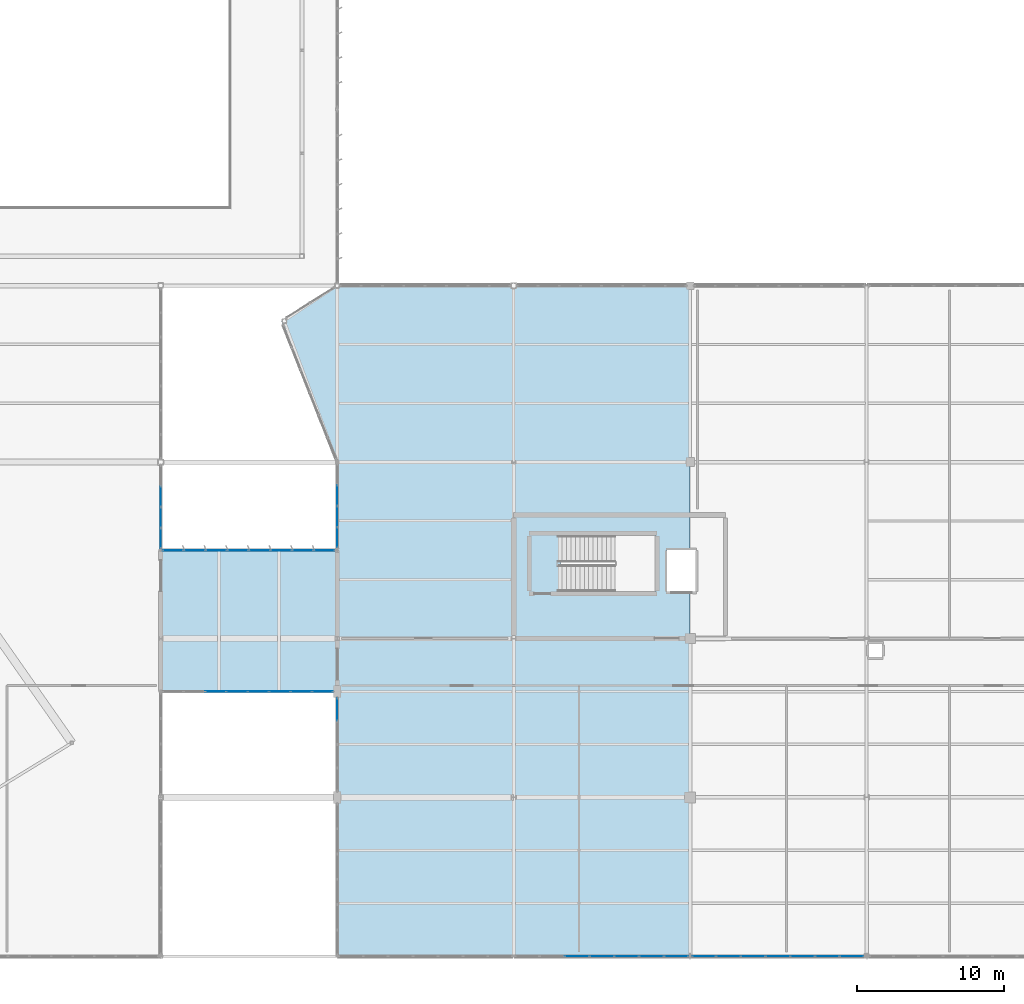
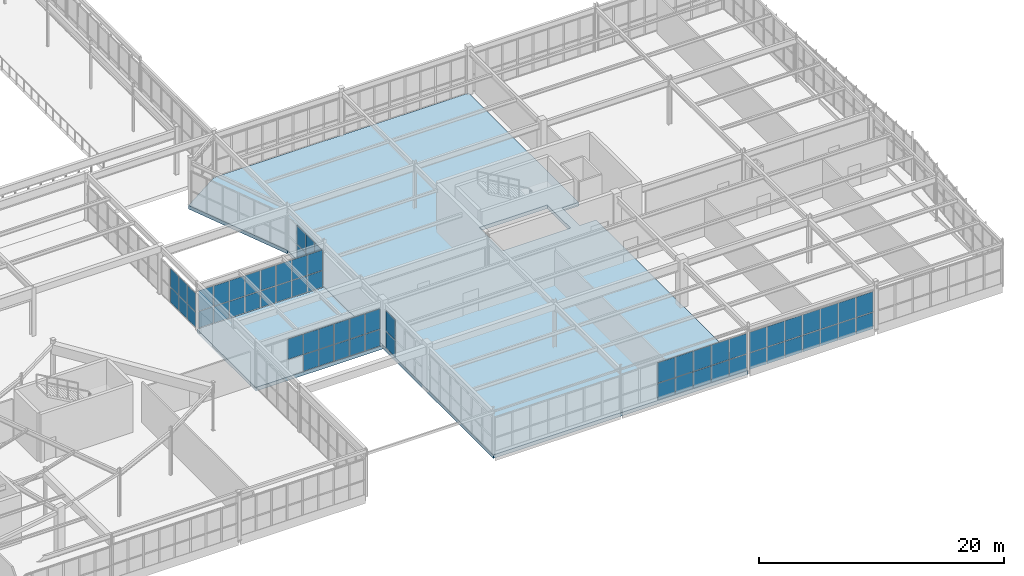
# One storey, part 120 of 186: 65 plates, 2 slabs, 7 elements without a shape of their own.
"""IFC4 building model written with IfcOpenShell, lengths in metres."""

import ifcopenshell
import ifcopenshell.guid

model = None  # the IFC model being written
_history = None  # IfcOwnerHistory: only IFC2X3 demands one
_inside = {}  # id of a spatial element -> (the spatial element, [elements in it])
_under = {}  # id of a project, library or spatial element -> (it, [spatial elements below it])
_declared = {}  # id of a project -> (the project, [libraries it declares])
_typed = {}  # id of a type object -> (the type object, [elements of that type])
_made_of = {}  # id of a material, layer set ... -> (it, [elements and type objects made of it])


def new_model(schema):
    """Start an empty IFC model of exactly this schema.

    Asked for "IFC4X3", IfcOpenShell would pick the latest addendum, in which some entities
    have other attributes; the version numbers below select the first issue.
    IFC2X3 requires an IfcOwnerHistory on every rooted entity: one is made here for all.
    """
    global model, _history
    if schema == "IFC4X3":
        model = ifcopenshell.file(schema_version=(4, 3, 0, 0))
    else:
        model = ifcopenshell.file(schema=schema)
    _inside.clear()
    _under.clear()
    _declared.clear()
    _typed.clear()
    _made_of.clear()
    _history = None
    if model.schema == "IFC2X3":
        org = make("IfcOrganization", Name="unknown")
        user = make(
            "IfcPersonAndOrganization",
            ThePerson=make("IfcPerson", FamilyName="unknown"),
            TheOrganization=org,
        )
        app = make(
            "IfcApplication",
            ApplicationDeveloper=org,
            Version="unknown",
            ApplicationFullName="unknown",
            ApplicationIdentifier="unknown",
        )
        _history = make(
            "IfcOwnerHistory",
            OwningUser=user,
            OwningApplication=app,
            ChangeAction="ADDED",
            CreationDate=0,
        )
    return model


def make(cls, **values):
    """One entity of the class cls with the attributes given. An attribute that is None is left unset."""
    return model.create_entity(
        cls, **{name: value for name, value in values.items() if value is not None}
    )


def rooted(cls, **values):
    """An entity with a GlobalId (a new one), such as an element, a storey or a relation."""
    return make(cls, GlobalId=ifcopenshell.guid.new(), OwnerHistory=_history, **values)


def si_unit(unit_type, name, prefix=None):
    """IfcSIUnit, for example si_unit("LENGTHUNIT", "METRE", prefix="MILLI")."""
    return make("IfcSIUnit", UnitType=unit_type, Prefix=prefix, Name=name)


def assignment(units):
    """IfcUnitAssignment: the units of a project."""
    return None if units is None else make("IfcUnitAssignment", Units=units)


def point(xyz):
    """IfcCartesianPoint."""
    return None if xyz is None else make("IfcCartesianPoint", Coordinates=xyz)


def direction(xyz):
    """IfcDirection."""
    return None if xyz is None else make("IfcDirection", DirectionRatios=xyz)


def frame(location, z_axis=None, x_axis=None):
    """IfcAxis2Placement3D, a coordinate frame: its origin and axes. An axis left out is left unset."""
    return make(
        "IfcAxis2Placement3D",
        Location=point(location),
        Axis=direction(z_axis),
        RefDirection=direction(x_axis),
    )


def frame_2d(location, x_axis=None):
    """IfcAxis2Placement2D, a coordinate frame in the plane: its origin and x axis."""
    return make(
        "IfcAxis2Placement2D", Location=point(location), RefDirection=direction(x_axis)
    )


def origin():
    """The frame at (0, 0, 0) with its axes left unset."""
    return frame((0.0, 0.0, 0.0))


def origin_2d():
    """The frame at (0, 0) in the plane with its x axis left unset."""
    return frame_2d((0.0, 0.0))


def place(relative_to, where):
    """IfcLocalPlacement: puts the frame where relative to a parent placement (None: the world)."""
    return make(
        "IfcLocalPlacement", PlacementRelTo=relative_to, RelativePlacement=where
    )


def context(
    kind, dimensions, precision=None, world=None, true_north=None, identifier=None
):
    """IfcGeometricRepresentationContext, for example the 3D "Model" context."""
    return make(
        "IfcGeometricRepresentationContext",
        ContextIdentifier=identifier,
        ContextType=kind,
        CoordinateSpaceDimension=dimensions,
        Precision=precision,
        WorldCoordinateSystem=world,
        TrueNorth=true_north,
    )


def subcontext(parent, identifier, kind, view, scale=None):
    """IfcGeometricRepresentationSubContext, for example "Body" below "Model"."""
    return make(
        "IfcGeometricRepresentationSubContext",
        ContextIdentifier=identifier,
        ContextType=kind,
        ParentContext=parent,
        TargetScale=scale,
        TargetView=view,
    )


def project(units=None, contexts=None):
    """IfcProject with its units and contexts."""
    return rooted(
        "IfcProject",
        Name="project",
        RepresentationContexts=contexts,
        UnitsInContext=assignment(units),
    )


def spatial(cls, under=None, at=None, **own):
    """A site, building, storey or space (cls), placed at a placement, below another one or the project."""
    s = rooted(cls, ObjectPlacement=at, **own)
    if under is not None:
        _under.setdefault(under.id(), (under, []))[1].append(s)
    return s


def polyline(points):
    """IfcPolyline through the points."""
    return make("IfcPolyline", Points=[point(p) for p in points])


def profile(cls, at=None, kind="AREA", **sizes):
    """A parametric profile (cls). Its sizes go by their IFC names, for example OverallWidth=200.0."""
    return make(cls, ProfileType=kind, Position=at, **sizes)


def rectangle(**sizes):
    """IfcRectangleProfileDef."""
    return profile("IfcRectangleProfileDef", **sizes)


def outline(outer, holes=None, kind="AREA"):
    """IfcArbitraryClosedProfileDef: a profile drawn as a closed curve; with holes, ...WithVoids."""
    if holes is None:
        return make("IfcArbitraryClosedProfileDef", ProfileType=kind, OuterCurve=outer)
    return make(
        "IfcArbitraryProfileDefWithVoids",
        ProfileType=kind,
        OuterCurve=outer,
        InnerCurves=holes,
    )


def extrude(swept, where, along, depth):
    """IfcExtrudedAreaSolid: the profile swept, set in the frame where, extruded along a direction by depth."""
    return make(
        "IfcExtrudedAreaSolid",
        SweptArea=swept,
        Position=where,
        ExtrudedDirection=direction(along),
        Depth=depth,
    )


def shape(context_of_items, identifier, shape_type, items):
    """IfcShapeRepresentation: the items that make up one representation, for example the "Body"."""
    return make(
        "IfcShapeRepresentation",
        ContextOfItems=context_of_items,
        RepresentationIdentifier=identifier,
        RepresentationType=shape_type,
        Items=items,
    )


def material(Name=None, Category=None):
    """IfcMaterial."""
    return make("IfcMaterial", Name=Name, Category=Category)


def layer(
    of_material, thickness, ventilated=None, Name=None, Category=None, Priority=None
):
    """IfcMaterialLayer: one layer of a wall or slab, of a material (None: an air gap)."""
    return make(
        "IfcMaterialLayer",
        Material=of_material,
        LayerThickness=thickness,
        IsVentilated=ventilated,
        Name=Name,
        Category=Category,
        Priority=Priority,
    )


def layer_set(layers, Name=None):
    """IfcMaterialLayerSet."""
    return make("IfcMaterialLayerSet", MaterialLayers=layers, LayerSetName=Name)


def made_of(thing, what):
    """Note that an element or type object is made of a material, layer set ...; save() writes the relation."""
    if what is not None:
        _made_of.setdefault(what.id(), (what, []))[1].append(thing)
    return thing


def type_object(cls, material=None, **own):
    """A type object (cls), such as IfcWallType, which elements share."""
    return made_of(rooted(cls, **own), material)


def element(
    cls,
    number,
    at=None,
    inside=None,
    cuts=None,
    type_object=None,
    material=None,
    context=None,
    identifier="Body",
    shape_type=None,
    held_by="IfcProductDefinitionShape",
    body=None,
    shapes=None,
    **own,
):
    """One element of the class cls, such as IfcWall. Its Tag is "e" and its number.

    at: its placement. inside: the storey or other place that contains it. cuts: it is an
    opening in that element (IfcRelVoidsElement). A single representation is given by context,
    identifier, shape_type and body (its items); several are given by shapes. held_by: the class
    of the entity that holds the representations. save() writes the other relations.
    """
    e = rooted(cls, Tag="e%d" % number, ObjectPlacement=at, **own)
    if body is not None:
        shapes = [shape(context, identifier, shape_type, body)]
    if shapes is not None:
        e.Representation = make(held_by, Representations=shapes)
    if inside is not None:
        _inside.setdefault(inside.id(), (inside, []))[1].append(e)
    if cuts is not None:
        rooted(
            "IfcRelVoidsElement", RelatingBuildingElement=cuts, RelatedOpeningElement=e
        )
    if type_object is not None:
        _typed.setdefault(type_object.id(), (type_object, []))[1].append(e)
    return made_of(e, material)


def aggregate(whole, parts):
    """IfcRelAggregates: a whole, such as a stair, and the parts it consists of."""
    return rooted("IfcRelAggregates", RelatingObject=whole, RelatedObjects=parts)


def save(model, path):
    """Write the relations noted so far, then the file.

    IfcRelAggregates (storeys below a building ...), IfcRelContainedInSpatialStructure (elements
    in a storey), IfcRelDefinesByType, IfcRelAssociatesMaterial and IfcRelDeclares: one each for
    every whole, place, type object, material and project.
    """
    for whole, parts in _under.values():
        aggregate(whole, parts)
    for where, things in _inside.values():
        rooted(
            "IfcRelContainedInSpatialStructure",
            RelatedElements=things,
            RelatingStructure=where,
        )
    for kind, things in _typed.values():
        rooted("IfcRelDefinesByType", RelatedObjects=things, RelatingType=kind)
    for what, things in _made_of.values():
        rooted("IfcRelAssociatesMaterial", RelatedObjects=things, RelatingMaterial=what)
    for by, libraries in _declared.values():
        rooted("IfcRelDeclares", RelatingContext=by, RelatedDefinitions=libraries)
    model.write(path)


model = new_model("IFC4")

# Units and contexts
model_context = context("Model", 3, precision=1e-05, world=origin(), true_north=direction((0.0, 1.0)))
body_context = subcontext(model_context, "Body", "Model", "MODEL_VIEW")
ifc_project = project(units=[si_unit("LENGTHUNIT", "METRE"), si_unit("AREAUNIT", "SQUARE_METRE"), si_unit("VOLUMEUNIT", "CUBIC_METRE"), si_unit("PLANEANGLEUNIT", "RADIAN"), si_unit("MASSUNIT", "GRAM", prefix="KILO")], contexts=[model_context])

# Site, building, storey
site_placement = place(None, origin())
site = spatial("IfcSite", under=ifc_project, at=site_placement, CompositionType="ELEMENT")
building_placement = place(site_placement, origin())
building = spatial("IfcBuilding", under=site, at=building_placement, Name="Tarnwether General Hospital", CompositionType="ELEMENT")
storey_placement = place(building_placement, frame((0.0, 0.0, 9.60009765625)))
storey = spatial("IfcBuildingStorey", under=building, at=storey_placement, Name="L02", CompositionType="ELEMENT", Elevation=9.60009765625)

# Curtain wall, plates
ifc_material_1 = material(Name="Anodised aluminium", Category="aluminium")
ifc_layer_1 = layer(ifc_material_1, 0.159912109375)
ifc_layer_set_1 = layer_set([ifc_layer_1], Name="Anodised aluminium")
curtain_wall_type_1 = type_object("IfcCurtainWallType", Name="CW-15", PredefinedType="NOTDEFINED", material=ifc_layer_set_1)
curtain_wall_1_placement = place(storey_placement, origin())
curtain_wall_1 = element("IfcCurtainWall", 1, at=curtain_wall_1_placement, inside=storey, type_object=curtain_wall_type_1, Name="Curtain Wall CWG-L02-1440_112-0437", PredefinedType="NOTDEFINED")
ifc_material_2 = material(Name="Double glazed low-E glass", Category="glass")
ifc_layer_2 = layer(ifc_material_2, 0.028076171875)
ifc_layer_set_2 = layer_set([ifc_layer_2], Name="Double glazed low-E glass")
plate_type = type_object("IfcPlateType", Name="PT-CWP1", PredefinedType="CURTAIN_PANEL", material=ifc_layer_set_2)
plate_1_placement = place(storey_placement, frame((144.0, 16.779052734375, 0.06005859375), z_axis=(0.0, 0.0, 1.0), x_axis=(0.0, 1.0, 0.0)))
plate_1 = element("IfcPlate", 2, at=plate_1_placement, type_object=plate_type, Name="CW-15 panel 4.1", PredefinedType="CURTAIN_PANEL", context=body_context, shape_type="SweptSolid", body=[
    extrude(rectangle(XDim=1.506103515625, YDim=0.028076171875, at=origin_2d()), origin(), (0.0, 0.0, 1.0), 1.628173828125),
])
plate_2_placement = place(storey_placement, frame((144.0, 16.779052734375, 1.748046875), z_axis=(0.0, 0.0, 1.0), x_axis=(0.0, 1.0, 0.0)))
plate_2 = element("IfcPlate", 3, at=plate_2_placement, type_object=plate_type, Name="CW-15 panel 4.2", PredefinedType="CURTAIN_PANEL", context=body_context, shape_type="SweptSolid", body=[
    extrude(rectangle(XDim=1.506103515625, YDim=0.028076171875, at=origin_2d()), origin(), (0.0, 0.0, 1.0), 2.010009765625),
])
aggregate(curtain_wall_1, [plate_1, plate_2])

curtain_wall_2_placement = place(storey_placement, origin())
curtain_wall_2 = element("IfcCurtainWall", 4, at=curtain_wall_2_placement, inside=storey, type_object=curtain_wall_type_1, Name="Curtain Wall CWG-L02-1320_334-0439", PredefinedType="NOTDEFINED")
plate_3_placement = place(storey_placement, frame((132.0, 31.24951171875, 0.059814453125), z_axis=(0.0, 0.0, 1.0), x_axis=(0.0, -1.0, 0.0)))
plate_3 = element("IfcPlate", 5, at=plate_3_placement, type_object=plate_type, Name="CW-15 panel 2.1", PredefinedType="CURTAIN_PANEL", context=body_context, shape_type="SweptSolid", body=[
    extrude(rectangle(XDim=1.3662109375, YDim=0.028076171875, at=origin_2d()), origin(), (0.0, 0.0, 1.0), 1.49853515625),
])
plate_4_placement = place(storey_placement, frame((132.0, 31.24951171875, 1.618408203125), z_axis=(0.0, 0.0, 1.0), x_axis=(0.0, -1.0, 0.0)))
plate_4 = element("IfcPlate", 6, at=plate_4_placement, type_object=plate_type, Name="CW-15 panel 2.2", PredefinedType="CURTAIN_PANEL", context=body_context, shape_type="SweptSolid", body=[
    extrude(rectangle(XDim=1.3662109375, YDim=0.028076171875, at=origin_2d()), origin(), (0.0, 0.0, 1.0), 1.8515625),
])
plate_5_placement = place(storey_placement, frame((132.0, 29.823486328125, 0.059814453125), z_axis=(0.0, 0.0, 1.0), x_axis=(0.0, -1.0, 0.0)))
plate_5 = element("IfcPlate", 7, at=plate_5_placement, type_object=plate_type, Name="CW-15 panel 3.1", PredefinedType="CURTAIN_PANEL", context=body_context, shape_type="SweptSolid", body=[
    extrude(rectangle(XDim=1.3662109375, YDim=0.028076171875, at=origin_2d()), origin(), (0.0, 0.0, 1.0), 1.49853515625),
])
plate_6_placement = place(storey_placement, frame((132.0, 29.823486328125, 1.618408203125), z_axis=(0.0, 0.0, 1.0), x_axis=(0.0, -1.0, 0.0)))
plate_6 = element("IfcPlate", 8, at=plate_6_placement, type_object=plate_type, Name="CW-15 panel 3.2", PredefinedType="CURTAIN_PANEL", context=body_context, shape_type="SweptSolid", body=[
    extrude(rectangle(XDim=1.3662109375, YDim=0.028076171875, at=origin_2d()), origin(), (0.0, 0.0, 1.0), 1.8515625),
])
plate_7_placement = place(storey_placement, frame((132.0, 28.412109375, 0.059814453125), z_axis=(0.0, 0.0, 1.0), x_axis=(0.0, -1.0, 0.0)))
plate_7 = element("IfcPlate", 9, at=plate_7_placement, type_object=plate_type, Name="CW-15 panel 4.1", PredefinedType="CURTAIN_PANEL", context=body_context, shape_type="SweptSolid", body=[
    extrude(rectangle(XDim=1.336181640625, YDim=0.028076171875, at=origin_2d()), origin(), (0.0, 0.0, 1.0), 1.49853515625),
])
plate_8_placement = place(storey_placement, frame((132.0, 28.412109375, 1.618408203125), z_axis=(0.0, 0.0, 1.0), x_axis=(0.0, -1.0, 0.0)))
plate_8 = element("IfcPlate", 10, at=plate_8_placement, type_object=plate_type, Name="CW-15 panel 4.2", PredefinedType="CURTAIN_PANEL", context=body_context, shape_type="SweptSolid", body=[
    extrude(rectangle(XDim=1.336181640625, YDim=0.028076171875, at=origin_2d()), origin(), (0.0, 0.0, 1.0), 1.8515625),
])
aggregate(curtain_wall_2, [plate_3, plate_4, plate_5, plate_6, plate_7, plate_8])

curtain_wall_3_placement = place(storey_placement, origin())
curtain_wall_3 = element("IfcCurtainWall", 11, at=curtain_wall_3_placement, inside=storey, type_object=curtain_wall_type_1, Name="Curtain Wall CWG-L02-1440_277-0440", PredefinedType="NOTDEFINED")
plate_9_placement = place(storey_placement, frame((144.0, 28.468994140625, 0.059814453125), z_axis=(0.0, 0.0, 1.0), x_axis=(0.0, 1.0, 0.0)))
plate_9 = element("IfcPlate", 12, at=plate_9_placement, type_object=plate_type, Name="CW-15 panel 1.1", PredefinedType="CURTAIN_PANEL", context=body_context, shape_type="SweptSolid", body=[
    extrude(rectangle(XDim=1.347900390625, YDim=0.028076171875, at=origin_2d()), origin(), (0.0, 0.0, 1.0), 1.49853515625),
])
plate_10_placement = place(storey_placement, frame((144.0, 28.468994140625, 1.618408203125), z_axis=(0.0, 0.0, 1.0), x_axis=(0.0, 1.0, 0.0)))
plate_10 = element("IfcPlate", 13, at=plate_10_placement, type_object=plate_type, Name="CW-15 panel 1.2", PredefinedType="CURTAIN_PANEL", context=body_context, shape_type="SweptSolid", body=[
    extrude(rectangle(XDim=1.347900390625, YDim=0.028076171875, at=origin_2d()), origin(), (0.0, 0.0, 1.0), 1.8515625),
])
plate_11_placement = place(storey_placement, frame((144.0, 29.89208984375, 0.059814453125), z_axis=(0.0, 0.0, 1.0), x_axis=(0.0, 1.0, 0.0)))
plate_11 = element("IfcPlate", 14, at=plate_11_placement, type_object=plate_type, Name="CW-15 panel 2.1", PredefinedType="CURTAIN_PANEL", context=body_context, shape_type="SweptSolid", body=[
    extrude(rectangle(XDim=1.3779296875, YDim=0.028076171875, at=origin_2d()), origin(), (0.0, 0.0, 1.0), 1.49853515625),
])
plate_12_placement = place(storey_placement, frame((144.0, 29.89208984375, 1.618408203125), z_axis=(0.0, 0.0, 1.0), x_axis=(0.0, 1.0, 0.0)))
plate_12 = element("IfcPlate", 15, at=plate_12_placement, type_object=plate_type, Name="CW-15 panel 2.2", PredefinedType="CURTAIN_PANEL", context=body_context, shape_type="SweptSolid", body=[
    extrude(rectangle(XDim=1.3779296875, YDim=0.028076171875, at=origin_2d()), origin(), (0.0, 0.0, 1.0), 1.8515625),
])
plate_13_placement = place(storey_placement, frame((144.0, 31.330078125, 0.059814453125), z_axis=(0.0, 0.0, 1.0), x_axis=(0.0, 1.0, 0.0)))
plate_13 = element("IfcPlate", 16, at=plate_13_placement, type_object=plate_type, Name="CW-15 panel 3.1", PredefinedType="CURTAIN_PANEL", context=body_context, shape_type="SweptSolid", body=[
    extrude(rectangle(XDim=1.3779296875, YDim=0.028076171875, at=origin_2d()), origin(), (0.0, 0.0, 1.0), 1.49853515625),
])
plate_14_placement = place(storey_placement, frame((144.0, 31.330078125, 1.618408203125), z_axis=(0.0, 0.0, 1.0), x_axis=(0.0, 1.0, 0.0)))
plate_14 = element("IfcPlate", 17, at=plate_14_placement, type_object=plate_type, Name="CW-15 panel 3.2", PredefinedType="CURTAIN_PANEL", context=body_context, shape_type="SweptSolid", body=[
    extrude(rectangle(XDim=1.3779296875, YDim=0.028076171875, at=origin_2d()), origin(), (0.0, 0.0, 1.0), 1.8515625),
])
aggregate(curtain_wall_3, [plate_9, plate_10, plate_11, plate_12, plate_13, plate_14])

ifc_material_3 = material(Name="Anodised aluminium", Category="aluminium")
ifc_layer_3 = layer(ifc_material_3, 0.159912109375)
ifc_layer_set_3 = layer_set([ifc_layer_3], Name="Anodised aluminium")
curtain_wall_type_2 = type_object("IfcCurtainWallType", Name="CW-19", PredefinedType="NOTDEFINED", material=ifc_layer_set_3)
curtain_wall_4_placement = place(storey_placement, origin())
curtain_wall_4 = element("IfcCurtainWall", 18, at=curtain_wall_4_placement, inside=storey, type_object=curtain_wall_type_2, Name="Curtain Wall CWG-L02-1798_0-0457", PredefinedType="NOTDEFINED")
plate_15_placement = place(storey_placement, frame((178.987060546875, 0.0, 0.059814453125), z_axis=(0.0, 0.0, 1.0), x_axis=(-1.0, 0.0, 0.0)))
plate_15 = element("IfcPlate", 19, at=plate_15_placement, type_object=plate_type, Name="CW-19 panel 1.1", PredefinedType="CURTAIN_PANEL", context=body_context, shape_type="SweptSolid", body=[
    extrude(rectangle(XDim=1.589599609375, YDim=0.028076171875, at=origin_2d()), origin(), (0.0, 0.0, 1.0), 1.63037109375),
])
plate_16_placement = place(storey_placement, frame((178.987060546875, 0.0, 1.750244140625), z_axis=(0.0, 0.0, 1.0), x_axis=(-1.0, 0.0, 0.0)))
plate_16 = element("IfcPlate", 20, at=plate_16_placement, type_object=plate_type, Name="CW-19 panel 1.2", PredefinedType="CURTAIN_PANEL", context=body_context, shape_type="SweptSolid", body=[
    extrude(rectangle(XDim=1.589599609375, YDim=0.028076171875, at=origin_2d()), origin(), (0.0, 0.0, 1.0), 2.0126953125),
])
plate_17_placement = place(storey_placement, frame((177.322509765625, 0.0, 0.059814453125), z_axis=(0.0, 0.0, 1.0), x_axis=(-1.0, 0.0, 0.0)))
plate_17 = element("IfcPlate", 21, at=plate_17_placement, type_object=plate_type, Name="CW-19 panel 2.1", PredefinedType="CURTAIN_PANEL", context=body_context, shape_type="SweptSolid", body=[
    extrude(rectangle(XDim=1.61962890625, YDim=0.028076171875, at=origin_2d()), origin(), (0.0, 0.0, 1.0), 1.63037109375),
])
plate_18_placement = place(storey_placement, frame((177.322509765625, 0.0, 1.750244140625), z_axis=(0.0, 0.0, 1.0), x_axis=(-1.0, 0.0, 0.0)))
plate_18 = element("IfcPlate", 22, at=plate_18_placement, type_object=plate_type, Name="CW-19 panel 2.2", PredefinedType="CURTAIN_PANEL", context=body_context, shape_type="SweptSolid", body=[
    extrude(rectangle(XDim=1.61962890625, YDim=0.028076171875, at=origin_2d()), origin(), (0.0, 0.0, 1.0), 2.0126953125),
])
plate_19_placement = place(storey_placement, frame((175.642822265625, 0.0, 0.059814453125), z_axis=(0.0, 0.0, 1.0), x_axis=(-1.0, 0.0, 0.0)))
plate_19 = element("IfcPlate", 23, at=plate_19_placement, type_object=plate_type, Name="CW-19 panel 3.1", PredefinedType="CURTAIN_PANEL", context=body_context, shape_type="SweptSolid", body=[
    extrude(rectangle(XDim=1.61962890625, YDim=0.028076171875, at=origin_2d()), origin(), (0.0, 0.0, 1.0), 1.63037109375),
])
plate_20_placement = place(storey_placement, frame((175.642822265625, 0.0, 1.750244140625), z_axis=(0.0, 0.0, 1.0), x_axis=(-1.0, 0.0, 0.0)))
plate_20 = element("IfcPlate", 24, at=plate_20_placement, type_object=plate_type, Name="CW-19 panel 3.2", PredefinedType="CURTAIN_PANEL", context=body_context, shape_type="SweptSolid", body=[
    extrude(rectangle(XDim=1.61962890625, YDim=0.028076171875, at=origin_2d()), origin(), (0.0, 0.0, 1.0), 2.0126953125),
])
plate_21_placement = place(storey_placement, frame((173.962890625, 0.0, 0.059814453125), z_axis=(0.0, 0.0, 1.0), x_axis=(-1.0, 0.0, 0.0)))
plate_21 = element("IfcPlate", 25, at=plate_21_placement, type_object=plate_type, Name="CW-19 panel 4.1", PredefinedType="CURTAIN_PANEL", context=body_context, shape_type="SweptSolid", body=[
    extrude(rectangle(XDim=1.61962890625, YDim=0.028076171875, at=origin_2d()), origin(), (0.0, 0.0, 1.0), 1.63037109375),
])
plate_22_placement = place(storey_placement, frame((173.962890625, 0.0, 1.750244140625), z_axis=(0.0, 0.0, 1.0), x_axis=(-1.0, 0.0, 0.0)))
plate_22 = element("IfcPlate", 26, at=plate_22_placement, type_object=plate_type, Name="CW-19 panel 4.2", PredefinedType="CURTAIN_PANEL", context=body_context, shape_type="SweptSolid", body=[
    extrude(rectangle(XDim=1.61962890625, YDim=0.028076171875, at=origin_2d()), origin(), (0.0, 0.0, 1.0), 2.0126953125),
])
plate_23_placement = place(storey_placement, frame((172.283203125, 0.0, 0.059814453125), z_axis=(0.0, 0.0, 1.0), x_axis=(-1.0, 0.0, 0.0)))
plate_23 = element("IfcPlate", 27, at=plate_23_placement, type_object=plate_type, Name="CW-19 panel 5.1", PredefinedType="CURTAIN_PANEL", context=body_context, shape_type="SweptSolid", body=[
    extrude(rectangle(XDim=1.61962890625, YDim=0.028076171875, at=origin_2d()), origin(), (0.0, 0.0, 1.0), 1.63037109375),
])
plate_24_placement = place(storey_placement, frame((172.283203125, 0.0, 1.750244140625), z_axis=(0.0, 0.0, 1.0), x_axis=(-1.0, 0.0, 0.0)))
plate_24 = element("IfcPlate", 28, at=plate_24_placement, type_object=plate_type, Name="CW-19 panel 5.2", PredefinedType="CURTAIN_PANEL", context=body_context, shape_type="SweptSolid", body=[
    extrude(rectangle(XDim=1.61962890625, YDim=0.028076171875, at=origin_2d()), origin(), (0.0, 0.0, 1.0), 2.0126953125),
])
plate_25_placement = place(storey_placement, frame((170.603515625, 0.0, 0.059814453125), z_axis=(0.0, 0.0, 1.0), x_axis=(-1.0, 0.0, 0.0)))
plate_25 = element("IfcPlate", 29, at=plate_25_placement, type_object=plate_type, Name="CW-19 panel 6.1", PredefinedType="CURTAIN_PANEL", context=body_context, shape_type="SweptSolid", body=[
    extrude(rectangle(XDim=1.61962890625, YDim=0.028076171875, at=origin_2d()), origin(), (0.0, 0.0, 1.0), 1.63037109375),
])
plate_26_placement = place(storey_placement, frame((170.603515625, 0.0, 1.750244140625), z_axis=(0.0, 0.0, 1.0), x_axis=(-1.0, 0.0, 0.0)))
plate_26 = element("IfcPlate", 30, at=plate_26_placement, type_object=plate_type, Name="CW-19 panel 6.2", PredefinedType="CURTAIN_PANEL", context=body_context, shape_type="SweptSolid", body=[
    extrude(rectangle(XDim=1.61962890625, YDim=0.028076171875, at=origin_2d()), origin(), (0.0, 0.0, 1.0), 2.0126953125),
])
plate_27_placement = place(storey_placement, frame((168.93896484375, 0.0, 0.059814453125), z_axis=(0.0, 0.0, 1.0), x_axis=(-1.0, 0.0, 0.0)))
plate_27 = element("IfcPlate", 31, at=plate_27_placement, type_object=plate_type, Name="CW-19 panel 7.1", PredefinedType="CURTAIN_PANEL", context=body_context, shape_type="SweptSolid", body=[
    extrude(rectangle(XDim=1.589599609375, YDim=0.028076171875, at=origin_2d()), origin(), (0.0, 0.0, 1.0), 1.63037109375),
])
plate_28_placement = place(storey_placement, frame((168.93896484375, 0.0, 1.750244140625), z_axis=(0.0, 0.0, 1.0), x_axis=(-1.0, 0.0, 0.0)))
plate_28 = element("IfcPlate", 32, at=plate_28_placement, type_object=plate_type, Name="CW-19 panel 7.2", PredefinedType="CURTAIN_PANEL", context=body_context, shape_type="SweptSolid", body=[
    extrude(rectangle(XDim=1.589599609375, YDim=0.028076171875, at=origin_2d()), origin(), (0.0, 0.0, 1.0), 2.0126953125),
])
aggregate(curtain_wall_4, [plate_15, plate_16, plate_17, plate_18, plate_19, plate_20, plate_21, plate_22, plate_23, plate_24, plate_25, plate_26, plate_27, plate_28])

curtain_wall_5_placement = place(storey_placement, origin())
curtain_wall_5 = element("IfcCurtainWall", 33, at=curtain_wall_5_placement, inside=storey, type_object=curtain_wall_type_2, Name="Curtain Wall CWG-L02-1679_0-0458", PredefinedType="NOTDEFINED")
plate_29_placement = place(storey_placement, frame((167.054931640625, 0.0, 0.06005859375), z_axis=(0.0, 0.0, 1.0), x_axis=(-1.0, 0.0, 0.0)))
plate_29 = element("IfcPlate", 34, at=plate_29_placement, type_object=plate_type, Name="CW-19 panel 1.1", PredefinedType="CURTAIN_PANEL", context=body_context, shape_type="SweptSolid", body=[
    extrude(rectangle(XDim=1.60205078125, YDim=0.028076171875, at=origin_2d()), origin(), (0.0, 0.0, 1.0), 1.628173828125),
])
plate_30_placement = place(storey_placement, frame((167.054931640625, 0.0, 1.748046875), z_axis=(0.0, 0.0, 1.0), x_axis=(-1.0, 0.0, 0.0)))
plate_30 = element("IfcPlate", 35, at=plate_30_placement, type_object=plate_type, Name="CW-19 panel 1.2", PredefinedType="CURTAIN_PANEL", context=body_context, shape_type="SweptSolid", body=[
    extrude(rectangle(XDim=1.60205078125, YDim=0.028076171875, at=origin_2d()), origin(), (0.0, 0.0, 1.0), 2.010009765625),
])
plate_31_placement = place(storey_placement, frame((165.377685546875, 0.0, 0.06005859375), z_axis=(0.0, 0.0, 1.0), x_axis=(-1.0, 0.0, 0.0)))
plate_31 = element("IfcPlate", 36, at=plate_31_placement, type_object=plate_type, Name="CW-19 panel 2.1", PredefinedType="CURTAIN_PANEL", context=body_context, shape_type="SweptSolid", body=[
    extrude(rectangle(XDim=1.632080078125, YDim=0.028076171875, at=origin_2d()), origin(), (0.0, 0.0, 1.0), 1.628173828125),
])
plate_32_placement = place(storey_placement, frame((165.377685546875, 0.0, 1.748046875), z_axis=(0.0, 0.0, 1.0), x_axis=(-1.0, 0.0, 0.0)))
plate_32 = element("IfcPlate", 37, at=plate_32_placement, type_object=plate_type, Name="CW-19 panel 2.2", PredefinedType="CURTAIN_PANEL", context=body_context, shape_type="SweptSolid", body=[
    extrude(rectangle(XDim=1.632080078125, YDim=0.028076171875, at=origin_2d()), origin(), (0.0, 0.0, 1.0), 2.010009765625),
])
plate_33_placement = place(storey_placement, frame((163.685546875, 0.0, 0.06005859375), z_axis=(0.0, 0.0, 1.0), x_axis=(-1.0, 0.0, 0.0)))
plate_33 = element("IfcPlate", 38, at=plate_33_placement, type_object=plate_type, Name="CW-19 panel 3.1", PredefinedType="CURTAIN_PANEL", context=body_context, shape_type="SweptSolid", body=[
    extrude(rectangle(XDim=1.632080078125, YDim=0.028076171875, at=origin_2d()), origin(), (0.0, 0.0, 1.0), 1.628173828125),
])
plate_34_placement = place(storey_placement, frame((163.685546875, 0.0, 1.748046875), z_axis=(0.0, 0.0, 1.0), x_axis=(-1.0, 0.0, 0.0)))
plate_34 = element("IfcPlate", 39, at=plate_34_placement, type_object=plate_type, Name="CW-19 panel 3.2", PredefinedType="CURTAIN_PANEL", context=body_context, shape_type="SweptSolid", body=[
    extrude(rectangle(XDim=1.632080078125, YDim=0.028076171875, at=origin_2d()), origin(), (0.0, 0.0, 1.0), 2.010009765625),
])
plate_35_placement = place(storey_placement, frame((161.993408203125, 0.0, 0.06005859375), z_axis=(0.0, 0.0, 1.0), x_axis=(-1.0, 0.0, 0.0)))
plate_35 = element("IfcPlate", 40, at=plate_35_placement, type_object=plate_type, Name="CW-19 panel 4.1", PredefinedType="CURTAIN_PANEL", context=body_context, shape_type="SweptSolid", body=[
    extrude(rectangle(XDim=1.632080078125, YDim=0.028076171875, at=origin_2d()), origin(), (0.0, 0.0, 1.0), 1.628173828125),
])
plate_36_placement = place(storey_placement, frame((161.993408203125, 0.0, 1.748046875), z_axis=(0.0, 0.0, 1.0), x_axis=(-1.0, 0.0, 0.0)))
plate_36 = element("IfcPlate", 41, at=plate_36_placement, type_object=plate_type, Name="CW-19 panel 4.2", PredefinedType="CURTAIN_PANEL", context=body_context, shape_type="SweptSolid", body=[
    extrude(rectangle(XDim=1.632080078125, YDim=0.028076171875, at=origin_2d()), origin(), (0.0, 0.0, 1.0), 2.010009765625),
])
plate_37_placement = place(storey_placement, frame((160.30126953125, 0.0, 0.06005859375), z_axis=(0.0, 0.0, 1.0), x_axis=(-1.0, 0.0, 0.0)))
plate_37 = element("IfcPlate", 42, at=plate_37_placement, type_object=plate_type, Name="CW-19 panel 5.1", PredefinedType="CURTAIN_PANEL", context=body_context, shape_type="SweptSolid", body=[
    extrude(rectangle(XDim=1.632080078125, YDim=0.028076171875, at=origin_2d()), origin(), (0.0, 0.0, 1.0), 1.628173828125),
])
plate_38_placement = place(storey_placement, frame((160.30126953125, 0.0, 1.748046875), z_axis=(0.0, 0.0, 1.0), x_axis=(-1.0, 0.0, 0.0)))
plate_38 = element("IfcPlate", 43, at=plate_38_placement, type_object=plate_type, Name="CW-19 panel 5.2", PredefinedType="CURTAIN_PANEL", context=body_context, shape_type="SweptSolid", body=[
    extrude(rectangle(XDim=1.632080078125, YDim=0.028076171875, at=origin_2d()), origin(), (0.0, 0.0, 1.0), 2.010009765625),
])
aggregate(curtain_wall_5, [plate_29, plate_30, plate_31, plate_32, plate_33, plate_34, plate_35, plate_36, plate_37, plate_38])

ifc_material_4 = material(Name="Anodised aluminium", Category="aluminium")
ifc_layer_4 = layer(ifc_material_4, 0.159912109375)
ifc_layer_set_4 = layer_set([ifc_layer_4], Name="Anodised aluminium")
curtain_wall_type_3 = type_object("IfcCurtainWallType", Name="CW-21", PredefinedType="NOTDEFINED", material=ifc_layer_set_4)
curtain_wall_6_placement = place(storey_placement, origin())
curtain_wall_6 = element("IfcCurtainWall", 44, at=curtain_wall_6_placement, inside=storey, type_object=curtain_wall_type_3, Name="Curtain Wall CWG-L02-1321_276-0472", PredefinedType="NOTDEFINED")
plate_39_placement = place(storey_placement, frame((132.835205078125, 27.60009765625, 0.059814453125), z_axis=(0.0, 0.0, 1.0), x_axis=(1.0, 0.0, 0.0)))
plate_39 = element("IfcPlate", 45, at=plate_39_placement, type_object=plate_type, Name="CW-21 panel 1.1", PredefinedType="CURTAIN_PANEL", context=body_context, shape_type="SweptSolid", body=[
    extrude(rectangle(XDim=1.382568359375, YDim=0.028076171875, at=origin_2d()), origin(), (0.0, 0.0, 1.0), 1.63037109375),
])
plate_40_placement = place(storey_placement, frame((132.835205078125, 27.60009765625, 1.750244140625), z_axis=(0.0, 0.0, 1.0), x_axis=(1.0, 0.0, 0.0)))
plate_40 = element("IfcPlate", 46, at=plate_40_placement, type_object=plate_type, Name="CW-21 panel 1.2", PredefinedType="CURTAIN_PANEL", context=body_context, shape_type="SweptSolid", body=[
    extrude(rectangle(XDim=1.382568359375, YDim=0.028076171875, at=origin_2d()), origin(), (0.0, 0.0, 1.0), 2.0126953125),
])
plate_41_placement = place(storey_placement, frame((134.29296875, 27.60009765625, 0.059814453125), z_axis=(0.0, 0.0, 1.0), x_axis=(1.0, 0.0, 0.0)))
plate_41 = element("IfcPlate", 47, at=plate_41_placement, type_object=plate_type, Name="CW-21 panel 2.1", PredefinedType="CURTAIN_PANEL", context=body_context, shape_type="SweptSolid", body=[
    extrude(rectangle(XDim=1.41259765625, YDim=0.028076171875, at=origin_2d()), origin(), (0.0, 0.0, 1.0), 1.63037109375),
])
plate_42_placement = place(storey_placement, frame((134.29296875, 27.60009765625, 1.750244140625), z_axis=(0.0, 0.0, 1.0), x_axis=(1.0, 0.0, 0.0)))
plate_42 = element("IfcPlate", 48, at=plate_42_placement, type_object=plate_type, Name="CW-21 panel 2.2", PredefinedType="CURTAIN_PANEL", context=body_context, shape_type="SweptSolid", body=[
    extrude(rectangle(XDim=1.41259765625, YDim=0.028076171875, at=origin_2d()), origin(), (0.0, 0.0, 1.0), 2.0126953125),
])
plate_43_placement = place(storey_placement, frame((135.765625, 27.60009765625, 0.059814453125), z_axis=(0.0, 0.0, 1.0), x_axis=(1.0, 0.0, 0.0)))
plate_43 = element("IfcPlate", 49, at=plate_43_placement, type_object=plate_type, Name="CW-21 panel 3.1", PredefinedType="CURTAIN_PANEL", context=body_context, shape_type="SweptSolid", body=[
    extrude(rectangle(XDim=1.41259765625, YDim=0.028076171875, at=origin_2d()), origin(), (0.0, 0.0, 1.0), 1.63037109375),
])
plate_44_placement = place(storey_placement, frame((135.765625, 27.60009765625, 1.750244140625), z_axis=(0.0, 0.0, 1.0), x_axis=(1.0, 0.0, 0.0)))
plate_44 = element("IfcPlate", 50, at=plate_44_placement, type_object=plate_type, Name="CW-21 panel 3.2", PredefinedType="CURTAIN_PANEL", context=body_context, shape_type="SweptSolid", body=[
    extrude(rectangle(XDim=1.41259765625, YDim=0.028076171875, at=origin_2d()), origin(), (0.0, 0.0, 1.0), 2.0126953125),
])
plate_45_placement = place(storey_placement, frame((137.23828125, 27.60009765625, 0.059814453125), z_axis=(0.0, 0.0, 1.0), x_axis=(1.0, 0.0, 0.0)))
plate_45 = element("IfcPlate", 51, at=plate_45_placement, type_object=plate_type, Name="CW-21 panel 4.1", PredefinedType="CURTAIN_PANEL", context=body_context, shape_type="SweptSolid", body=[
    extrude(rectangle(XDim=1.41259765625, YDim=0.028076171875, at=origin_2d()), origin(), (0.0, 0.0, 1.0), 1.63037109375),
])
plate_46_placement = place(storey_placement, frame((137.23828125, 27.60009765625, 1.750244140625), z_axis=(0.0, 0.0, 1.0), x_axis=(1.0, 0.0, 0.0)))
plate_46 = element("IfcPlate", 52, at=plate_46_placement, type_object=plate_type, Name="CW-21 panel 4.2", PredefinedType="CURTAIN_PANEL", context=body_context, shape_type="SweptSolid", body=[
    extrude(rectangle(XDim=1.41259765625, YDim=0.028076171875, at=origin_2d()), origin(), (0.0, 0.0, 1.0), 2.0126953125),
])
plate_47_placement = place(storey_placement, frame((138.710693359375, 27.60009765625, 0.059814453125), z_axis=(0.0, 0.0, 1.0), x_axis=(1.0, 0.0, 0.0)))
plate_47 = element("IfcPlate", 53, at=plate_47_placement, type_object=plate_type, Name="CW-21 panel 5.1", PredefinedType="CURTAIN_PANEL", context=body_context, shape_type="SweptSolid", body=[
    extrude(rectangle(XDim=1.41259765625, YDim=0.028076171875, at=origin_2d()), origin(), (0.0, 0.0, 1.0), 1.63037109375),
])
plate_48_placement = place(storey_placement, frame((138.710693359375, 27.60009765625, 1.750244140625), z_axis=(0.0, 0.0, 1.0), x_axis=(1.0, 0.0, 0.0)))
plate_48 = element("IfcPlate", 54, at=plate_48_placement, type_object=plate_type, Name="CW-21 panel 5.2", PredefinedType="CURTAIN_PANEL", context=body_context, shape_type="SweptSolid", body=[
    extrude(rectangle(XDim=1.41259765625, YDim=0.028076171875, at=origin_2d()), origin(), (0.0, 0.0, 1.0), 2.0126953125),
])
plate_49_placement = place(storey_placement, frame((140.183349609375, 27.60009765625, 0.059814453125), z_axis=(0.0, 0.0, 1.0), x_axis=(1.0, 0.0, 0.0)))
plate_49 = element("IfcPlate", 55, at=plate_49_placement, type_object=plate_type, Name="CW-21 panel 6.1", PredefinedType="CURTAIN_PANEL", context=body_context, shape_type="SweptSolid", body=[
    extrude(rectangle(XDim=1.41259765625, YDim=0.028076171875, at=origin_2d()), origin(), (0.0, 0.0, 1.0), 1.63037109375),
])
plate_50_placement = place(storey_placement, frame((140.183349609375, 27.60009765625, 1.750244140625), z_axis=(0.0, 0.0, 1.0), x_axis=(1.0, 0.0, 0.0)))
plate_50 = element("IfcPlate", 56, at=plate_50_placement, type_object=plate_type, Name="CW-21 panel 6.2", PredefinedType="CURTAIN_PANEL", context=body_context, shape_type="SweptSolid", body=[
    extrude(rectangle(XDim=1.41259765625, YDim=0.028076171875, at=origin_2d()), origin(), (0.0, 0.0, 1.0), 2.0126953125),
])
plate_51_placement = place(storey_placement, frame((141.656005859375, 27.60009765625, 0.059814453125), z_axis=(0.0, 0.0, 1.0), x_axis=(1.0, 0.0, 0.0)))
plate_51 = element("IfcPlate", 57, at=plate_51_placement, type_object=plate_type, Name="CW-21 panel 7.1", PredefinedType="CURTAIN_PANEL", context=body_context, shape_type="SweptSolid", body=[
    extrude(rectangle(XDim=1.41259765625, YDim=0.028076171875, at=origin_2d()), origin(), (0.0, 0.0, 1.0), 1.63037109375),
])
plate_52_placement = place(storey_placement, frame((141.656005859375, 27.60009765625, 1.750244140625), z_axis=(0.0, 0.0, 1.0), x_axis=(1.0, 0.0, 0.0)))
plate_52 = element("IfcPlate", 58, at=plate_52_placement, type_object=plate_type, Name="CW-21 panel 7.2", PredefinedType="CURTAIN_PANEL", context=body_context, shape_type="SweptSolid", body=[
    extrude(rectangle(XDim=1.41259765625, YDim=0.028076171875, at=origin_2d()), origin(), (0.0, 0.0, 1.0), 2.0126953125),
])
plate_53_placement = place(storey_placement, frame((143.11376953125, 27.60009765625, 0.059814453125), z_axis=(0.0, 0.0, 1.0), x_axis=(1.0, 0.0, 0.0)))
plate_53 = element("IfcPlate", 59, at=plate_53_placement, type_object=plate_type, Name="CW-21 panel 8.1", PredefinedType="CURTAIN_PANEL", context=body_context, shape_type="SweptSolid", body=[
    extrude(rectangle(XDim=1.382568359375, YDim=0.028076171875, at=origin_2d()), origin(), (0.0, 0.0, 1.0), 1.63037109375),
])
plate_54_placement = place(storey_placement, frame((143.11376953125, 27.60009765625, 1.750244140625), z_axis=(0.0, 0.0, 1.0), x_axis=(1.0, 0.0, 0.0)))
plate_54 = element("IfcPlate", 60, at=plate_54_placement, type_object=plate_type, Name="CW-21 panel 8.2", PredefinedType="CURTAIN_PANEL", context=body_context, shape_type="SweptSolid", body=[
    extrude(rectangle(XDim=1.382568359375, YDim=0.028076171875, at=origin_2d()), origin(), (0.0, 0.0, 1.0), 2.0126953125),
])
aggregate(curtain_wall_6, [plate_39, plate_40, plate_41, plate_42, plate_43, plate_44, plate_45, plate_46, plate_47, plate_48, plate_49, plate_50, plate_51, plate_52, plate_53, plate_54])

ifc_material_5 = material(Name="Anodised aluminium", Category="aluminium")
ifc_layer_5 = layer(ifc_material_5, 0.159912109375)
ifc_layer_set_5 = layer_set([ifc_layer_5], Name="Anodised aluminium")
curtain_wall_type_4 = type_object("IfcCurtainWallType", Name="CW-22", PredefinedType="NOTDEFINED", material=ifc_layer_set_5)
curtain_wall_7_placement = place(storey_placement, origin())
curtain_wall_7 = element("IfcCurtainWall", 61, at=curtain_wall_7_placement, inside=storey, type_object=curtain_wall_type_4, Name="Curtain Wall CWG-L02-1437_180-0473", PredefinedType="NOTDEFINED")
plate_55_placement = place(storey_placement, frame((142.998291015625, 18.0, 0.06005859375), z_axis=(0.0, 0.0, 1.0), x_axis=(-1.0, 0.0, 0.0)))
plate_55 = element("IfcPlate", 62, at=plate_55_placement, type_object=plate_type, Name="CW-22 panel 1.1", PredefinedType="CURTAIN_PANEL", context=body_context, shape_type="SweptSolid", body=[
    extrude(rectangle(XDim=1.3671875, YDim=0.028076171875, at=origin_2d()), origin(), (0.0, 0.0, 1.0), 1.628173828125),
])
plate_56_placement = place(storey_placement, frame((142.998291015625, 18.0, 1.748046875), z_axis=(0.0, 0.0, 1.0), x_axis=(-1.0, 0.0, 0.0)))
plate_56 = element("IfcPlate", 63, at=plate_56_placement, type_object=plate_type, Name="CW-22 panel 1.2", PredefinedType="CURTAIN_PANEL", context=body_context, shape_type="SweptSolid", body=[
    extrude(rectangle(XDim=1.3671875, YDim=0.028076171875, at=origin_2d()), origin(), (0.0, 0.0, 1.0), 2.010009765625),
])
plate_57_placement = place(storey_placement, frame((141.55615234375, 18.0, 0.06005859375), z_axis=(0.0, 0.0, 1.0), x_axis=(-1.0, 0.0, 0.0)))
plate_57 = element("IfcPlate", 64, at=plate_57_placement, type_object=plate_type, Name="CW-22 panel 2.1", PredefinedType="CURTAIN_PANEL", context=body_context, shape_type="SweptSolid", body=[
    extrude(rectangle(XDim=1.397216796875, YDim=0.028076171875, at=origin_2d()), origin(), (0.0, 0.0, 1.0), 1.628173828125),
])
plate_58_placement = place(storey_placement, frame((141.55615234375, 18.0, 1.748046875), z_axis=(0.0, 0.0, 1.0), x_axis=(-1.0, 0.0, 0.0)))
plate_58 = element("IfcPlate", 65, at=plate_58_placement, type_object=plate_type, Name="CW-22 panel 2.2", PredefinedType="CURTAIN_PANEL", context=body_context, shape_type="SweptSolid", body=[
    extrude(rectangle(XDim=1.397216796875, YDim=0.028076171875, at=origin_2d()), origin(), (0.0, 0.0, 1.0), 2.010009765625),
])
plate_59_placement = place(storey_placement, frame((140.098876953125, 18.0, 0.06005859375), z_axis=(0.0, 0.0, 1.0), x_axis=(-1.0, 0.0, 0.0)))
plate_59 = element("IfcPlate", 66, at=plate_59_placement, type_object=plate_type, Name="CW-22 panel 3.1", PredefinedType="CURTAIN_PANEL", context=body_context, shape_type="SweptSolid", body=[
    extrude(rectangle(XDim=1.397216796875, YDim=0.028076171875, at=origin_2d()), origin(), (0.0, 0.0, 1.0), 1.628173828125),
])
plate_60_placement = place(storey_placement, frame((140.098876953125, 18.0, 1.748046875), z_axis=(0.0, 0.0, 1.0), x_axis=(-1.0, 0.0, 0.0)))
plate_60 = element("IfcPlate", 67, at=plate_60_placement, type_object=plate_type, Name="CW-22 panel 3.2", PredefinedType="CURTAIN_PANEL", context=body_context, shape_type="SweptSolid", body=[
    extrude(rectangle(XDim=1.397216796875, YDim=0.028076171875, at=origin_2d()), origin(), (0.0, 0.0, 1.0), 2.010009765625),
])
plate_61_placement = place(storey_placement, frame((138.6416015625, 18.0, 0.06005859375), z_axis=(0.0, 0.0, 1.0), x_axis=(-1.0, 0.0, 0.0)))
plate_61 = element("IfcPlate", 68, at=plate_61_placement, type_object=plate_type, Name="CW-22 panel 4.1", PredefinedType="CURTAIN_PANEL", context=body_context, shape_type="SweptSolid", body=[
    extrude(rectangle(XDim=1.397216796875, YDim=0.028076171875, at=origin_2d()), origin(), (0.0, 0.0, 1.0), 1.628173828125),
])
plate_62_placement = place(storey_placement, frame((138.6416015625, 18.0, 1.748046875), z_axis=(0.0, 0.0, 1.0), x_axis=(-1.0, 0.0, 0.0)))
plate_62 = element("IfcPlate", 69, at=plate_62_placement, type_object=plate_type, Name="CW-22 panel 4.2", PredefinedType="CURTAIN_PANEL", context=body_context, shape_type="SweptSolid", body=[
    extrude(rectangle(XDim=1.397216796875, YDim=0.028076171875, at=origin_2d()), origin(), (0.0, 0.0, 1.0), 2.010009765625),
])
plate_63_placement = place(storey_placement, frame((137.184326171875, 18.0, 0.06005859375), z_axis=(0.0, 0.0, 1.0), x_axis=(-1.0, 0.0, 0.0)))
plate_63 = element("IfcPlate", 70, at=plate_63_placement, type_object=plate_type, Name="CW-22 panel 5.1", PredefinedType="CURTAIN_PANEL", context=body_context, shape_type="SweptSolid", body=[
    extrude(rectangle(XDim=1.397216796875, YDim=0.028076171875, at=origin_2d()), origin(), (0.0, 0.0, 1.0), 1.628173828125),
])
plate_64_placement = place(storey_placement, frame((137.184326171875, 18.0, 1.748046875), z_axis=(0.0, 0.0, 1.0), x_axis=(-1.0, 0.0, 0.0)))
plate_64 = element("IfcPlate", 71, at=plate_64_placement, type_object=plate_type, Name="CW-22 panel 5.2", PredefinedType="CURTAIN_PANEL", context=body_context, shape_type="SweptSolid", body=[
    extrude(rectangle(XDim=1.397216796875, YDim=0.028076171875, at=origin_2d()), origin(), (0.0, 0.0, 1.0), 2.010009765625),
])
plate_65_placement = place(storey_placement, frame((135.72705078125, 18.0, 1.748046875), z_axis=(0.0, 0.0, 1.0), x_axis=(-1.0, 0.0, 0.0)))
plate_65 = element("IfcPlate", 72, at=plate_65_placement, type_object=plate_type, Name="CW-22 panel 6.2", PredefinedType="CURTAIN_PANEL", context=body_context, shape_type="SweptSolid", body=[
    extrude(rectangle(XDim=1.397216796875, YDim=0.028076171875, at=origin_2d()), origin(), (0.0, 0.0, 1.0), 2.010009765625),
])
aggregate(curtain_wall_7, [plate_55, plate_56, plate_57, plate_58, plate_59, plate_60, plate_61, plate_62, plate_63, plate_64, plate_65])

# Slabs
ifc_material_6 = material(Name="Concrete 40 MPa", Category="concrete")
ifc_layer_6 = layer(ifc_material_6, 0.35498046875)
ifc_layer_set_6 = layer_set([ifc_layer_6], Name="Concrete 40 MPa")
slab_type = type_object("IfcSlabType", Name="SL-FL220", PredefinedType="FLOOR", material=ifc_layer_set_6)
slab_1_placement = place(storey_placement, frame((0.0, 0.0, -0.35498046875)))
element("IfcSlab", 73, at=slab_1_placement, inside=storey, type_object=slab_type, Name="L02 South Court Link Bridge Floor SL-L02-BRS", PredefinedType="FLOOR", context=body_context, shape_type="SweptSolid", body=[
    extrude(outline(polyline([(144.0, 18.0), (144.0, 27.60009765625), (132.0, 27.60009765625), (132.0, 18.0), (144.0, 18.0)])), origin(), (0.0, 0.0, 1.0), 0.35498046875),
])
slab_2_placement = place(storey_placement, frame((0.0, 0.0, -0.35498046875)))
element("IfcSlab", 74, at=slab_2_placement, inside=storey, type_object=slab_type, Name="L02 Outpatient South-West Shard Floor SL-L02-V6S1", PredefinedType="FLOOR", context=body_context, shape_type="SweptSolid", body=[
    extrude(outline(polyline([(144.0, 33.60009765625), (140.199951171875, 43.199951171875), (144.0, 45.60009765625), (168.0, 45.60009765625), (168.0, 27.6298828125), (166.419921875, 27.6298828125), (166.419921875, 24.77001953125), (168.0, 24.77001953125), (168.0, 0.0), (144.0, 0.0), (144.0, 33.60009765625)]), holes=[polyline([(165.60009765625, 28.60009765625), (159.179931640625, 28.60009765625), (159.179931640625, 24.800048828125), (165.60009765625, 24.800048828125), (165.60009765625, 28.60009765625)])]), origin(), (0.0, 0.0, 1.0), 0.35498046875),
])

save(model, "model.ifc")
